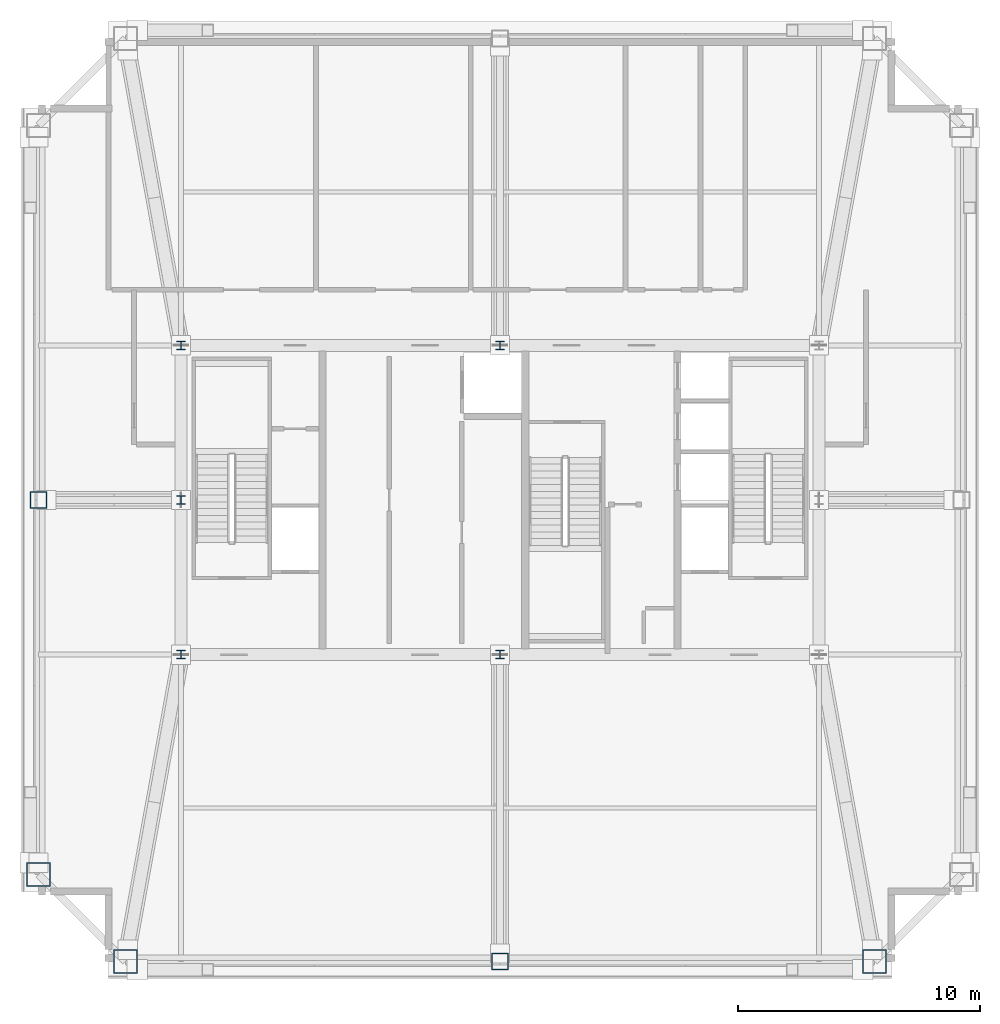
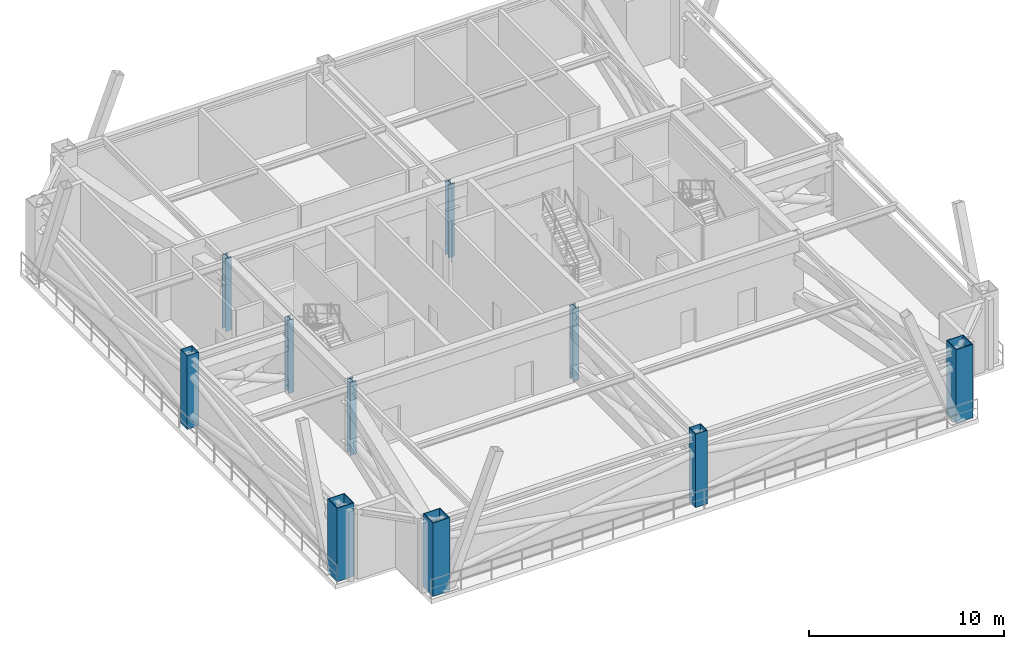
# One storey, part 1 of 9: 10 columns.
"""IFC4 building model written with IfcOpenShell, lengths in metres."""

import ifcopenshell
import ifcopenshell.guid

model = None  # the IFC model being written
_history = None  # IfcOwnerHistory: only IFC2X3 demands one
_inside = {}  # id of a spatial element -> (the spatial element, [elements in it])
_under = {}  # id of a project, library or spatial element -> (it, [spatial elements below it])
_declared = {}  # id of a project -> (the project, [libraries it declares])
_typed = {}  # id of a type object -> (the type object, [elements of that type])
_made_of = {}  # id of a material, layer set ... -> (it, [elements and type objects made of it])


def new_model(schema):
    """Start an empty IFC model of exactly this schema.

    Asked for "IFC4X3", IfcOpenShell would pick the latest addendum, in which some entities
    have other attributes; the version numbers below select the first issue.
    IFC2X3 requires an IfcOwnerHistory on every rooted entity: one is made here for all.
    """
    global model, _history
    if schema == "IFC4X3":
        model = ifcopenshell.file(schema_version=(4, 3, 0, 0))
    else:
        model = ifcopenshell.file(schema=schema)
    _inside.clear()
    _under.clear()
    _declared.clear()
    _typed.clear()
    _made_of.clear()
    _history = None
    if model.schema == "IFC2X3":
        org = make("IfcOrganization", Name="unknown")
        user = make(
            "IfcPersonAndOrganization",
            ThePerson=make("IfcPerson", FamilyName="unknown"),
            TheOrganization=org,
        )
        app = make(
            "IfcApplication",
            ApplicationDeveloper=org,
            Version="unknown",
            ApplicationFullName="unknown",
            ApplicationIdentifier="unknown",
        )
        _history = make(
            "IfcOwnerHistory",
            OwningUser=user,
            OwningApplication=app,
            ChangeAction="ADDED",
            CreationDate=0,
        )
    return model


def make(cls, **values):
    """One entity of the class cls with the attributes given. An attribute that is None is left unset."""
    return model.create_entity(
        cls, **{name: value for name, value in values.items() if value is not None}
    )


def rooted(cls, **values):
    """An entity with a GlobalId (a new one), such as an element, a storey or a relation."""
    return make(cls, GlobalId=ifcopenshell.guid.new(), OwnerHistory=_history, **values)


def si_unit(unit_type, name, prefix=None):
    """IfcSIUnit, for example si_unit("LENGTHUNIT", "METRE", prefix="MILLI")."""
    return make("IfcSIUnit", UnitType=unit_type, Prefix=prefix, Name=name)


def assignment(units):
    """IfcUnitAssignment: the units of a project."""
    return None if units is None else make("IfcUnitAssignment", Units=units)


def point(xyz):
    """IfcCartesianPoint."""
    return None if xyz is None else make("IfcCartesianPoint", Coordinates=xyz)


def direction(xyz):
    """IfcDirection."""
    return None if xyz is None else make("IfcDirection", DirectionRatios=xyz)


def frame(location, z_axis=None, x_axis=None):
    """IfcAxis2Placement3D, a coordinate frame: its origin and axes. An axis left out is left unset."""
    return make(
        "IfcAxis2Placement3D",
        Location=point(location),
        Axis=direction(z_axis),
        RefDirection=direction(x_axis),
    )


def frame_2d(location, x_axis=None):
    """IfcAxis2Placement2D, a coordinate frame in the plane: its origin and x axis."""
    return make(
        "IfcAxis2Placement2D", Location=point(location), RefDirection=direction(x_axis)
    )


def origin():
    """The frame at (0, 0, 0) with its axes left unset."""
    return frame((0.0, 0.0, 0.0))


def origin_2d():
    """The frame at (0, 0) in the plane with its x axis left unset."""
    return frame_2d((0.0, 0.0))


def place(relative_to, where):
    """IfcLocalPlacement: puts the frame where relative to a parent placement (None: the world)."""
    return make(
        "IfcLocalPlacement", PlacementRelTo=relative_to, RelativePlacement=where
    )


def context(
    kind, dimensions, precision=None, world=None, true_north=None, identifier=None
):
    """IfcGeometricRepresentationContext, for example the 3D "Model" context."""
    return make(
        "IfcGeometricRepresentationContext",
        ContextIdentifier=identifier,
        ContextType=kind,
        CoordinateSpaceDimension=dimensions,
        Precision=precision,
        WorldCoordinateSystem=world,
        TrueNorth=true_north,
    )


def subcontext(parent, identifier, kind, view, scale=None):
    """IfcGeometricRepresentationSubContext, for example "Body" below "Model"."""
    return make(
        "IfcGeometricRepresentationSubContext",
        ContextIdentifier=identifier,
        ContextType=kind,
        ParentContext=parent,
        TargetScale=scale,
        TargetView=view,
    )


def project(units=None, contexts=None):
    """IfcProject with its units and contexts."""
    return rooted(
        "IfcProject",
        Name="project",
        RepresentationContexts=contexts,
        UnitsInContext=assignment(units),
    )


def spatial(cls, under=None, at=None, **own):
    """A site, building, storey or space (cls), placed at a placement, below another one or the project."""
    s = rooted(cls, ObjectPlacement=at, **own)
    if under is not None:
        _under.setdefault(under.id(), (under, []))[1].append(s)
    return s


def profile(cls, at=None, kind="AREA", **sizes):
    """A parametric profile (cls). Its sizes go by their IFC names, for example OverallWidth=200.0."""
    return make(cls, ProfileType=kind, Position=at, **sizes)


def hollow_rectangle(**sizes):
    """IfcRectangleHollowProfileDef."""
    return profile("IfcRectangleHollowProfileDef", **sizes)


def i_section(**sizes):
    """IfcIShapeProfileDef."""
    return profile("IfcIShapeProfileDef", **sizes)


def extrude(swept, where, along, depth):
    """IfcExtrudedAreaSolid: the profile swept, set in the frame where, extruded along a direction by depth."""
    return make(
        "IfcExtrudedAreaSolid",
        SweptArea=swept,
        Position=where,
        ExtrudedDirection=direction(along),
        Depth=depth,
    )


def shape(context_of_items, identifier, shape_type, items):
    """IfcShapeRepresentation: the items that make up one representation, for example the "Body"."""
    return make(
        "IfcShapeRepresentation",
        ContextOfItems=context_of_items,
        RepresentationIdentifier=identifier,
        RepresentationType=shape_type,
        Items=items,
    )


def source(mapping_origin, context_of_items, identifier, shape_type, items):
    """IfcRepresentationMap: a shape defined once, which mapped items show again and again."""
    return make(
        "IfcRepresentationMap",
        MappingOrigin=mapping_origin,
        MappedRepresentation=shape(context_of_items, identifier, shape_type, items),
    )


def transform(
    local_origin,
    x_axis=None,
    y_axis=None,
    z_axis=None,
    scale=None,
    scale2=None,
    scale3=None,
    uniform=True,
):
    """IfcCartesianTransformationOperator3D, or its non-uniform kind. x_axis, y_axis, z_axis: its Axis1, 2, 3."""
    if uniform:
        return make(
            "IfcCartesianTransformationOperator3D",
            Axis1=direction(x_axis),
            Axis2=direction(y_axis),
            LocalOrigin=point(local_origin),
            Scale=scale,
            Axis3=direction(z_axis),
        )
    return make(
        "IfcCartesianTransformationOperator3DnonUniform",
        Axis1=direction(x_axis),
        Axis2=direction(y_axis),
        LocalOrigin=point(local_origin),
        Scale=scale,
        Axis3=direction(z_axis),
        Scale2=scale2,
        Scale3=scale3,
    )


def mapped(mapping_source, mapping_target):
    """IfcMappedItem: shows the shape of a source again, moved by a transform."""
    return make(
        "IfcMappedItem", MappingSource=mapping_source, MappingTarget=mapping_target
    )


def material(Name=None, Category=None):
    """IfcMaterial."""
    return make("IfcMaterial", Name=Name, Category=Category)


def material_profile(
    of_material, cross_section, Name=None, Category=None, Priority=None
):
    """IfcMaterialProfile: a cross section and its material."""
    return make(
        "IfcMaterialProfile",
        Name=Name,
        Material=of_material,
        Profile=cross_section,
        Priority=Priority,
        Category=Category,
    )


def profile_set(profiles, Name=None, composite=None):
    """IfcMaterialProfileSet."""
    return make(
        "IfcMaterialProfileSet",
        Name=Name,
        MaterialProfiles=profiles,
        CompositeProfile=composite,
    )


def made_of(thing, what):
    """Note that an element or type object is made of a material, layer set ...; save() writes the relation."""
    if what is not None:
        _made_of.setdefault(what.id(), (what, []))[1].append(thing)
    return thing


def type_object(cls, material=None, **own):
    """A type object (cls), such as IfcWallType, which elements share."""
    return made_of(rooted(cls, **own), material)


def element(
    cls,
    number,
    at=None,
    inside=None,
    cuts=None,
    type_object=None,
    material=None,
    context=None,
    identifier="Body",
    shape_type=None,
    held_by="IfcProductDefinitionShape",
    body=None,
    shapes=None,
    **own,
):
    """One element of the class cls, such as IfcWall. Its Tag is "e" and its number.

    at: its placement. inside: the storey or other place that contains it. cuts: it is an
    opening in that element (IfcRelVoidsElement). A single representation is given by context,
    identifier, shape_type and body (its items); several are given by shapes. held_by: the class
    of the entity that holds the representations. save() writes the other relations.
    """
    e = rooted(cls, Tag="e%d" % number, ObjectPlacement=at, **own)
    if body is not None:
        shapes = [shape(context, identifier, shape_type, body)]
    if shapes is not None:
        e.Representation = make(held_by, Representations=shapes)
    if inside is not None:
        _inside.setdefault(inside.id(), (inside, []))[1].append(e)
    if cuts is not None:
        rooted(
            "IfcRelVoidsElement", RelatingBuildingElement=cuts, RelatedOpeningElement=e
        )
    if type_object is not None:
        _typed.setdefault(type_object.id(), (type_object, []))[1].append(e)
    return made_of(e, material)


def aggregate(whole, parts):
    """IfcRelAggregates: a whole, such as a stair, and the parts it consists of."""
    return rooted("IfcRelAggregates", RelatingObject=whole, RelatedObjects=parts)


def save(model, path):
    """Write the relations noted so far, then the file.

    IfcRelAggregates (storeys below a building ...), IfcRelContainedInSpatialStructure (elements
    in a storey), IfcRelDefinesByType, IfcRelAssociatesMaterial and IfcRelDeclares: one each for
    every whole, place, type object, material and project.
    """
    for whole, parts in _under.values():
        aggregate(whole, parts)
    for where, things in _inside.values():
        rooted(
            "IfcRelContainedInSpatialStructure",
            RelatedElements=things,
            RelatingStructure=where,
        )
    for kind, things in _typed.values():
        rooted("IfcRelDefinesByType", RelatedObjects=things, RelatingType=kind)
    for what, things in _made_of.values():
        rooted("IfcRelAssociatesMaterial", RelatedObjects=things, RelatingMaterial=what)
    for by, libraries in _declared.values():
        rooted("IfcRelDeclares", RelatingContext=by, RelatedDefinitions=libraries)
    model.write(path)


model = new_model("IFC4")

# Units and contexts
model_context = context("Model", 3, precision=1e-05, world=origin(), true_north=direction((0.0, 1.0)))
body_context = subcontext(model_context, "Body", "Model", "MODEL_VIEW")
ifc_project = project(units=[si_unit("LENGTHUNIT", "METRE"), si_unit("AREAUNIT", "SQUARE_METRE"), si_unit("VOLUMEUNIT", "CUBIC_METRE"), si_unit("PLANEANGLEUNIT", "RADIAN"), si_unit("MASSUNIT", "GRAM", prefix="KILO"), si_unit("THERMODYNAMICTEMPERATUREUNIT", "KELVIN"), si_unit("POWERUNIT", "WATT")], contexts=[model_context])

# Site, building, storey
site_placement = place(None, origin())
site = spatial("IfcSite", under=ifc_project, at=site_placement, CompositionType="ELEMENT")
building_placement = place(site_placement, origin())
building = spatial("IfcBuilding", under=site, at=building_placement, Name="Yuzanri Waterfront Tower", CompositionType="ELEMENT")
storey_placement = place(building_placement, frame((0.0, 0.0, 306.60009765625)))
storey = spatial("IfcBuildingStorey", under=building, at=storey_placement, Name="L82", CompositionType="ELEMENT", Elevation=306.60009765625)

# Columns
ifc_material_1 = material(Name="Steel Q355B", Category="steel")
ifc_material_profile_1 = material_profile(ifc_material_1, i_section(OverallWidth=0.35009765625, OverallDepth=0.35009765625, WebThickness=0.011962890625, FlangeThickness=0.01904296875, at=origin_2d()), Name="HW 350x350x12x19")
ifc_profile_set_1 = profile_set([ifc_material_profile_1], Name="Steel Q355B")
column_type_1 = type_object("IfcColumnType", Name="Core Post Q355B HW 350x350x12x19", PredefinedType="COLUMN", material=ifc_profile_set_1)
shared_shape_1 = source(origin(), body_context, "Body", "SweptSolid", [
    extrude(i_section(OverallWidth=0.35009765625, OverallDepth=0.35009765625, WebThickness=0.011962890625, FlangeThickness=0.01904296875, at=origin_2d()), origin(), (0.0, 0.0, 1.0), 4.599853515625),
])
for number, where, z_axis, x_axis, name in (
    (1, (23.800048828125, 19.39990234375, 0.0), (0.0, 0.0, 1.0), (1.0, 0.0, 0.0), "L82 Core Boundary Column CP1"),
    (2, (37.0, 19.39990234375, 0.0), (0.0, 0.0, 1.0), (1.0, 0.0, 0.0), "L82 Core Boundary Column CP2"),
    (3, (23.800048828125, 25.800048828125, 0.0), (0.0, 0.0, 1.0), (1.0, 0.0, 0.0), "L82 Core Boundary Column CP4"),
    (4, (23.800048828125, 32.199951171875, 0.0), (0.0, 0.0, 1.0), (1.0, 0.0, 0.0), "L82 Core Boundary Column CP6"),
    (5, (37.0, 32.199951171875, 0.0), (0.0, 0.0, 1.0), (1.0, 0.0, 0.0), "L82 Core Boundary Column CP7"),
):
    element("IfcColumn", number, at=place(storey_placement, frame(where, z_axis=z_axis, x_axis=x_axis)), inside=storey, type_object=column_type_1, Name=name, PredefinedType="COLUMN", context=body_context, shape_type="MappedRepresentation", body=[
        mapped(shared_shape_1, transform((0.0, 0.0, 0.0), scale=1.0)),
    ])
ifc_material_2 = material(Name="Steel Q390GJC", Category="steel")
ifc_material_profile_2 = material_profile(ifc_material_2, hollow_rectangle(XDim=1.0, YDim=1.0, WallThickness=0.048095703125, at=origin_2d()), Name="RHS 1000x1000x48")
ifc_profile_set_2 = profile_set([ifc_material_profile_2], Name="Steel Q390GJC")
column_type_2 = type_object("IfcColumnType", Name="Mega Column Q390GJC RHS 1000x1000x48", PredefinedType="COLUMN", material=ifc_profile_set_2)
shared_shape_2 = source(origin(), body_context, "Body", "SweptSolid", [
    extrude(hollow_rectangle(XDim=1.0, YDim=1.0, WallThickness=0.048095703125, at=origin_2d()), origin(), (0.0, 0.0, 1.0), 4.599853515625),
])
for number, where, z_axis, x_axis, name in (
    (6, (21.5, 6.699951171875, 0.0), (0.0, 0.0, 1.0), (1.0, 0.0, 0.0), "L82 Perimeter Mega Column S1"),
    (7, (52.5, 6.699951171875, 0.0), (0.0, 0.0, 1.0), (1.0, 0.0, 0.0), "L82 Perimeter Mega Column S3"),
    (8, (17.89990234375, 10.300048828125, 0.0), (0.0, 0.0, 1.0), (1.0, 0.0, 0.0), "L82 Perimeter Mega Column W1"),
):
    element("IfcColumn", number, at=place(storey_placement, frame(where, z_axis=z_axis, x_axis=x_axis)), inside=storey, type_object=column_type_2, Name=name, PredefinedType="COLUMN", context=body_context, shape_type="MappedRepresentation", body=[
        mapped(shared_shape_2, transform((0.0, 0.0, 0.0), scale=1.0)),
    ])
ifc_material_3 = material(Name="Steel Q355B", Category="steel")
ifc_material_profile_3 = material_profile(ifc_material_3, hollow_rectangle(XDim=0.699951171875, YDim=0.699951171875, WallThickness=0.031982421875, at=origin_2d()), Name="RHS 700x700x32")
ifc_profile_set_3 = profile_set([ifc_material_profile_3], Name="Steel Q355B")
column_type_3 = type_object("IfcColumnType", Name="Frame Column Q355B RHS 700x700x32", PredefinedType="COLUMN", material=ifc_profile_set_3)
shared_shape_3 = source(origin(), body_context, "Body", "SweptSolid", [
    extrude(hollow_rectangle(XDim=0.699951171875, YDim=0.699951171875, WallThickness=0.031982421875, at=origin_2d()), origin(), (0.0, 0.0, 1.0), 4.599853515625),
])
for number, where, z_axis, x_axis, name in (
    (9, (37.0, 6.699951171875, 0.0), (0.0, 0.0, 1.0), (1.0, 0.0, 0.0), "L82 Perimeter Frame Column S2"),
    (10, (17.89990234375, 25.800048828125, 0.0), (0.0, 0.0, 1.0), (1.0, 0.0, 0.0), "L82 Perimeter Frame Column W2"),
):
    element("IfcColumn", number, at=place(storey_placement, frame(where, z_axis=z_axis, x_axis=x_axis)), inside=storey, type_object=column_type_3, Name=name, PredefinedType="COLUMN", context=body_context, shape_type="MappedRepresentation", body=[
        mapped(shared_shape_3, transform((0.0, 0.0, 0.0), scale=1.0)),
    ])

save(model, "model.ifc")
